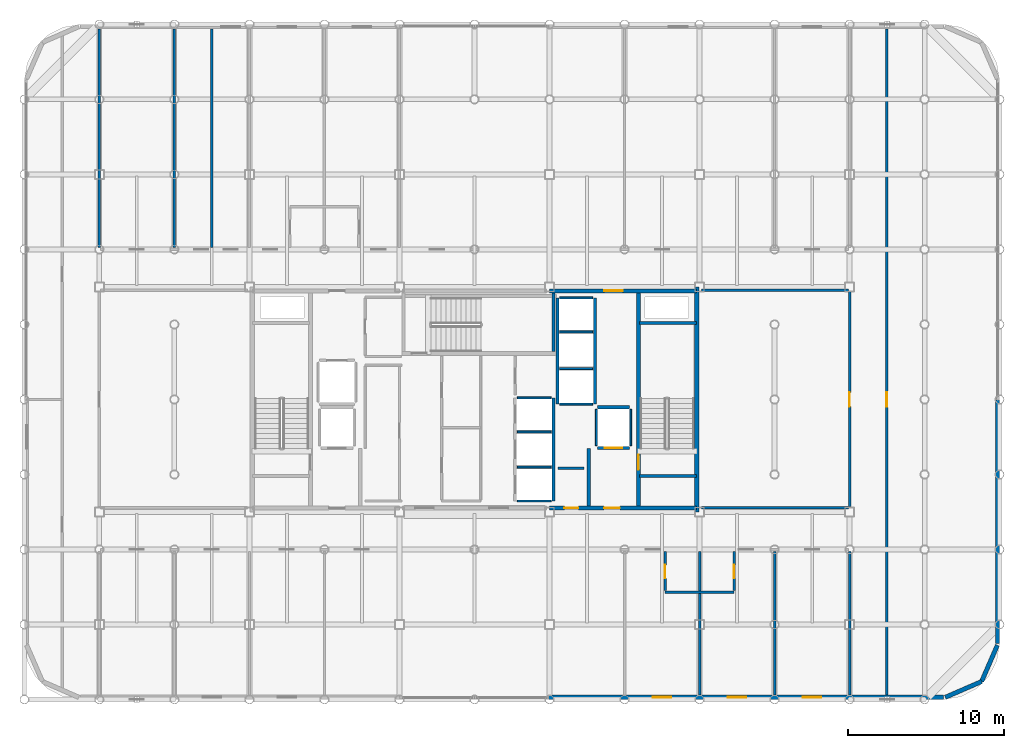
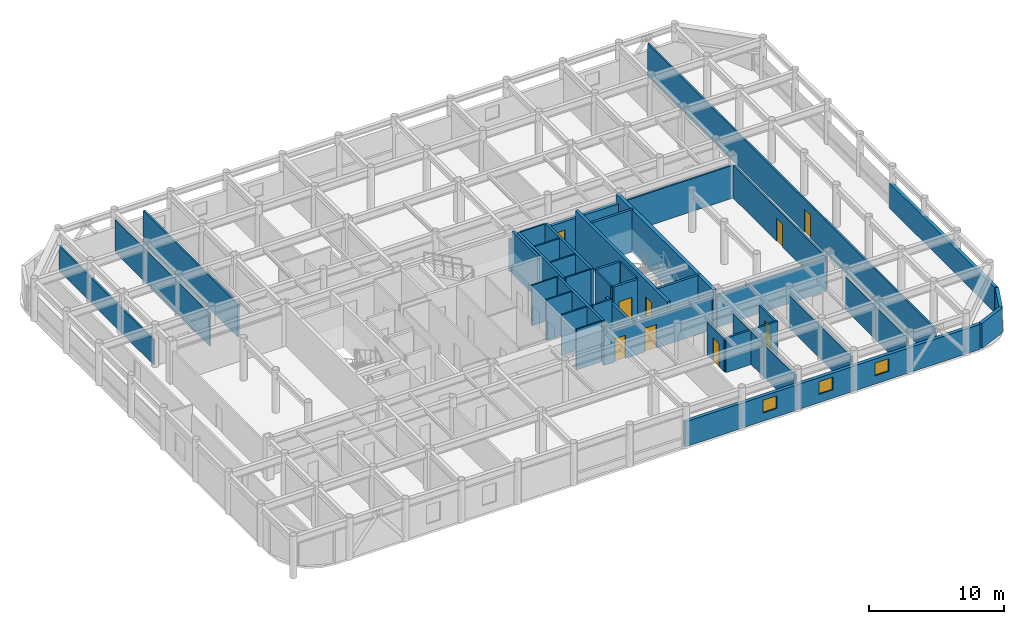
# One storey, part 20 of 22: 41 walls, 9 doors, 3 windows, 12 openings.
"""IFC4 building model written with IfcOpenShell, lengths in metres."""

from ifc_helpers import new_model, si_unit, direction, frame, frame_2d, origin, place, context, subcontext, project, spatial, rectangle, extrude, material, layer, layer_set, type_object, element, fill, save


model = new_model("IFC4")

# Units and contexts
model_context = context("Model", 3, precision=1e-05, world=origin(), true_north=direction((0.0, 1.0)))
body_context = subcontext(model_context, "Body", "Model", "MODEL_VIEW")
ifc_project = project(units=[si_unit("LENGTHUNIT", "METRE"), si_unit("AREAUNIT", "SQUARE_METRE"), si_unit("VOLUMEUNIT", "CUBIC_METRE"), si_unit("PLANEANGLEUNIT", "RADIAN"), si_unit("MASSUNIT", "GRAM", prefix="KILO")], contexts=[model_context])

# Site, building, storey
site_placement = place(None, origin())
site = spatial("IfcSite", under=ifc_project, at=site_placement, CompositionType="ELEMENT")
building_placement = place(site_placement, origin())
building = spatial("IfcBuilding", under=site, at=building_placement, Name="Kallvorn Hotel Tower", CompositionType="ELEMENT")
storey_placement = place(building_placement, frame((0.0, 0.0, 230.0)))
storey = spatial("IfcBuildingStorey", under=building, at=storey_placement, Name="L57", CompositionType="ELEMENT", Elevation=230.0)

# Walls
ifc_material_1 = material(Name="Concrete C50/60", Category="concrete")
ifc_layer_1 = layer(ifc_material_1, 0.300048828125)
ifc_layer_set_1 = layer_set([ifc_layer_1], Name="WL_CORE_300")
wall_type_1 = type_object("IfcWallType", Name="WL_CORE_300", PredefinedType="SHEAR", material=ifc_layer_set_1)
wall_1_placement = place(storey_placement, frame((14.215087890625, -7.199951171875, -0.179931640625), z_axis=(0.0, 0.0, 1.0), x_axis=(0.0, 1.0, 0.0)))
element("IfcWall", 1, at=wall_1_placement, inside=storey, type_object=wall_type_1, Name="L57 Core East Shear Wall", PredefinedType="SHEAR", context=body_context, shape_type="SweptSolid", body=[
    extrude(rectangle(XDim=14.39990234375, YDim=0.300048828125, at=frame_2d((7.199951171875, 0.0))), origin(), (0.0, 0.0, 1.0), 3.849853515625),
])
ifc_material_2 = material(Name="Fire-rated double-layer acoustic gypsum drywall EI 60")
ifc_layer_2 = layer(ifc_material_2, 0.159912109375)
ifc_layer_set_2 = layer_set([ifc_layer_2], Name="WL_DEMISE_160")
wall_type_2 = type_object("IfcWallType", Name="WL_DEMISE_160", PredefinedType="PARTITIONING", material=ifc_layer_set_2)
wall_2_placement = place(storey_placement, frame((12.18994140625, -12.320068359375, 0.0), z_axis=(0.0, 0.0, 1.0), x_axis=(1.0, 0.0, 0.0)))
element("IfcWall", 2, at=wall_2_placement, inside=storey, type_object=wall_type_2, Name="L57 Suite 5701 Superior Twin Room Partition", PredefinedType="PARTITIONING", context=body_context, shape_type="SweptSolid", body=[
    extrude(rectangle(XDim=4.420166015625, YDim=0.159912109375, at=frame_2d((2.2099609375, 0.0))), origin(), (0.0, 0.0, 1.0), 3.1201171875),
])

# Wall, opening, door
wall_3_placement = place(storey_placement, frame((12.18994140625, -12.235107421875, 0.0), z_axis=(0.0, 0.0, 1.0), x_axis=(0.0, 1.0, 0.0)))
wall_3 = element("IfcWall", 3, at=wall_3_placement, inside=storey, type_object=wall_type_2, Name="L57 Suite 5701 Superior Twin Room Partition", PredefinedType="PARTITIONING", context=body_context, shape_type="SweptSolid", body=[
    extrude(rectangle(XDim=2.51513671875, YDim=0.159912109375, at=frame_2d((1.257568359375, 0.0))), origin(), (0.0, 0.0, 1.0), 2.969970703125),
])
opening_1_placement = place(wall_3_placement, frame((0.784912109375, 0.0, 0.0)))
opening_1 = element("IfcOpeningElement", 4, at=opening_1_placement, cuts=wall_3, Name="Opening BD-I", PredefinedType="OPENING", context=body_context, shape_type="SweptSolid", body=[
    extrude(rectangle(XDim=0.860107421875, YDim=2.10009765625, at=frame_2d((0.43017578125, 1.050048828125))), frame((0.0, 0.094970703125, 0.0), z_axis=(0.0, -1.0, 0.0), x_axis=(1.0, 0.0, 0.0)), (0.0, 0.0, 1.0), 0.18994140625),
])
ifc_material_3 = material(Name="Solid-core walnut veneer fire-rated timber door leaf", Category="wood")
door_type_1 = type_object("IfcDoorType", Name="DR_BATH_860x2100", OperationType="NOTDEFINED", PredefinedType="DOOR", material=ifc_material_3)
door_1_placement = place(opening_1_placement, origin())
door_1 = element("IfcDoor", 5, at=door_1_placement, inside=storey, type_object=door_type_1, Name="L57 Suite 5701 En-Suite Bathroom Door", OperationType="SINGLE_SWING_RIGHT", OverallHeight=2.10009765625, OverallWidth=0.860107421875, PredefinedType="DOOR", context=body_context, shape_type="SweptSolid", body=[
    extrude(rectangle(XDim=0.860107421875, YDim=2.10009765625, at=frame_2d((0.43017578125, 1.050048828125))), frame((0.0, 0.02490234375, 0.0), z_axis=(0.0, -1.0, 0.0), x_axis=(1.0, 0.0, 0.0)), (0.0, 0.0, 1.0), 0.050048828125),
])
fill(opening_1, door_1)

# Wall
wall_4_placement = place(storey_placement, frame((14.39990234375, -18.909912109375, 0.0), z_axis=(0.0, 0.0, 1.0), x_axis=(0.0, 1.0, 0.0)))
element("IfcWall", 6, at=wall_4_placement, inside=storey, type_object=wall_type_2, Name="L57 Suite 5701 Superior Twin Room Partition", PredefinedType="PARTITIONING", context=body_context, shape_type="SweptSolid", body=[
    extrude(rectangle(XDim=9.18994140625, YDim=0.159912109375, at=frame_2d((4.594970703125, 0.0))), origin(), (0.0, 0.0, 1.0), 2.969970703125),
])

# Wall, opening, door
wall_5_placement = place(storey_placement, frame((16.610107421875, -12.235107421875, 0.0), z_axis=(0.0, 0.0, 1.0), x_axis=(0.0, 1.0, 0.0)))
wall_5 = element("IfcWall", 7, at=wall_5_placement, inside=storey, type_object=wall_type_2, Name="L57 Suite 5702 Superior Twin Room Partition", PredefinedType="PARTITIONING", context=body_context, shape_type="SweptSolid", body=[
    extrude(rectangle(XDim=2.51513671875, YDim=0.159912109375, at=frame_2d((1.257568359375, 0.0))), origin(), (0.0, 0.0, 1.0), 2.969970703125),
])
opening_2_placement = place(wall_5_placement, frame((0.784912109375, 0.0, 0.0)))
opening_2 = element("IfcOpeningElement", 8, at=opening_2_placement, cuts=wall_5, Name="Opening BD-I", PredefinedType="OPENING", context=body_context, shape_type="SweptSolid", body=[
    extrude(rectangle(XDim=0.860107421875, YDim=2.10009765625, at=frame_2d((0.43017578125, 1.050048828125))), frame((0.0, 0.094970703125, 0.0), z_axis=(0.0, -1.0, 0.0), x_axis=(1.0, 0.0, 0.0)), (0.0, 0.0, 1.0), 0.18994140625),
])
door_2_placement = place(opening_2_placement, origin())
door_2 = element("IfcDoor", 9, at=door_2_placement, inside=storey, type_object=door_type_1, Name="L57 Suite 5702 En-Suite Bathroom Door", OperationType="SINGLE_SWING_RIGHT", OverallHeight=2.10009765625, OverallWidth=0.860107421875, PredefinedType="DOOR", context=body_context, shape_type="SweptSolid", body=[
    extrude(rectangle(XDim=0.860107421875, YDim=2.10009765625, at=frame_2d((0.43017578125, 1.050048828125))), frame((0.0, 0.02490234375, 0.0), z_axis=(0.0, -1.0, 0.0), x_axis=(1.0, 0.0, 0.0)), (0.0, 0.0, 1.0), 0.050048828125),
])
fill(opening_2, door_2)

# Walls
wall_6_placement = place(storey_placement, frame((19.199951171875, -18.909912109375, 0.0), z_axis=(0.0, 0.0, 1.0), x_axis=(0.0, 1.0, 0.0)))
element("IfcWall", 10, at=wall_6_placement, inside=storey, type_object=wall_type_2, Name="L57 Suite 5702 Superior Twin Room Partition", PredefinedType="PARTITIONING", context=body_context, shape_type="SweptSolid", body=[
    extrude(rectangle(XDim=9.18994140625, YDim=0.159912109375, at=frame_2d((4.594970703125, 0.0))), origin(), (0.0, 0.0, 1.0), 2.969970703125),
])
ifc_material_4 = material(Name="Precast basalt-clad insulated concrete wall C40/50", Category="masonry")
ifc_layer_3 = layer(ifc_material_4, 0.280029296875)
ifc_layer_set_3 = layer_set([ifc_layer_3], Name="WL_EXT_LOGGIA_280")
wall_type_3 = type_object("IfcWallType", Name="WL_EXT_LOGGIA_280", PredefinedType="SOLIDWALL", material=ifc_layer_set_3)
wall_7_placement = place(storey_placement, frame((30.120849609375, -19.057861328125, 0.0), z_axis=(0.0, 0.0, 1.0), x_axis=(0.917060872934, 0.398747232384, 0.0)))
element("IfcWall", 11, at=wall_7_placement, inside=storey, type_object=wall_type_3, Name="L57 Rounded Corner Exterior Wall SE1", PredefinedType="SOLIDWALL", context=body_context, shape_type="SweptSolid", body=[
    extrude(rectangle(XDim=2.5361328125, YDim=0.280029296875, at=frame_2d((1.26806640625, 0.0))), origin(), (0.0, 0.0, 1.0), 2.27001953125),
])
wall_8_placement = place(storey_placement, frame((32.446533203125, -18.046630859375, 0.0), z_axis=(0.0, 0.0, 1.0), x_axis=(0.398792985289, 0.917040977756, 0.0)))
element("IfcWall", 12, at=wall_8_placement, inside=storey, type_object=wall_type_3, Name="L57 Rounded Corner Exterior Wall SE2", PredefinedType="SOLIDWALL", context=body_context, shape_type="SweptSolid", body=[
    extrude(rectangle(XDim=2.536376953125, YDim=0.280029296875, at=frame_2d((1.26806640625, 0.0))), origin(), (0.0, 0.0, 1.0), 2.27001953125),
])

# Wall, openings, windows
wall_9_placement = place(storey_placement, frame((4.75, -19.06005859375, 0.0), z_axis=(0.0, 0.0, 1.0), x_axis=(1.0, 0.0, 0.0)))
wall_9 = element("IfcWall", 13, at=wall_9_placement, inside=storey, type_object=wall_type_3, Name="L57 Exterior Envelope Wall EW-L57-SE", PredefinedType="SOLIDWALL", context=body_context, shape_type="SweptSolid", body=[
    extrude(rectangle(XDim=25.25, YDim=0.280029296875, at=frame_2d((12.625, 0.0))), origin(), (0.0, 0.0, 1.0), 2.27001953125),
])
opening_3_placement = place(wall_9_placement, frame((16.25, 0.0, 0.75)))
opening_3 = element("IfcOpeningElement", 14, at=opening_3_placement, cuts=wall_9, Name="Opening W06A", PredefinedType="OPENING", context=body_context, shape_type="SweptSolid", body=[
    extrude(rectangle(XDim=1.199951171875, YDim=1.14990234375, at=frame_2d((0.60009765625, 0.574951171875))), frame((0.0, 0.155029296875, 0.0), z_axis=(0.0, -1.0, 0.0), x_axis=(1.0, 0.0, 0.0)), (0.0, 0.0, 1.0), 0.31005859375),
])
opening_4_placement = place(wall_9_placement, frame((6.64990234375, 0.0, 0.75)))
opening_4 = element("IfcOpeningElement", 15, at=opening_4_placement, cuts=wall_9, Name="Opening W06A", PredefinedType="OPENING", context=body_context, shape_type="SweptSolid", body=[
    extrude(rectangle(XDim=1.199951171875, YDim=1.14990234375, at=frame_2d((0.60009765625, 0.574951171875))), frame((0.0, 0.155029296875, 0.0), z_axis=(0.0, -1.0, 0.0), x_axis=(1.0, 0.0, 0.0)), (0.0, 0.0, 1.0), 0.31005859375),
])
opening_5_placement = place(wall_9_placement, frame((11.449951171875, 0.0, 0.75)))
opening_5 = element("IfcOpeningElement", 16, at=opening_5_placement, cuts=wall_9, Name="Opening W06A", PredefinedType="OPENING", context=body_context, shape_type="SweptSolid", body=[
    extrude(rectangle(XDim=1.199951171875, YDim=1.14990234375, at=frame_2d((0.60009765625, 0.574951171875))), frame((0.0, 0.155029296875, 0.0), z_axis=(0.0, -1.0, 0.0), x_axis=(1.0, 0.0, 0.0)), (0.0, 0.0, 1.0), 0.31005859375),
])
ifc_material_5 = material(Name="Triple-glazed low-e acoustic solar-control dark glass", Category="glass")
window_type = type_object("IfcWindowType", Name="WN_HTL_1200x1150", PartitioningType="SINGLE_PANEL", PredefinedType="WINDOW", material=ifc_material_5)
window_1_placement = place(opening_3_placement, origin())
window_1 = element("IfcWindow", 17, at=window_1_placement, inside=storey, type_object=window_type, Name="L57 Guestroom Exterior Window 01", OverallHeight=1.14990234375, OverallWidth=1.199951171875, PartitioningType="SINGLE_PANEL", PredefinedType="WINDOW", context=body_context, shape_type="SweptSolid", body=[
    extrude(rectangle(XDim=1.199951171875, YDim=1.14990234375, at=frame_2d((0.60009765625, 0.574951171875))), frame((0.0, 0.030029296875, 0.0), z_axis=(0.0, -1.0, 0.0), x_axis=(1.0, 0.0, 0.0)), (0.0, 0.0, 1.0), 0.06005859375),
])
fill(opening_3, window_1)
window_2_placement = place(opening_4_placement, origin())
window_2 = element("IfcWindow", 18, at=window_2_placement, inside=storey, type_object=window_type, Name="L57 Guestroom Exterior Window 06", OverallHeight=1.14990234375, OverallWidth=1.199951171875, PartitioningType="SINGLE_PANEL", PredefinedType="WINDOW", context=body_context, shape_type="SweptSolid", body=[
    extrude(rectangle(XDim=1.199951171875, YDim=1.14990234375, at=frame_2d((0.60009765625, 0.574951171875))), frame((0.0, 0.030029296875, 0.0), z_axis=(0.0, -1.0, 0.0), x_axis=(1.0, 0.0, 0.0)), (0.0, 0.0, 1.0), 0.06005859375),
])
fill(opening_4, window_2)
window_3_placement = place(opening_5_placement, origin())
window_3 = element("IfcWindow", 19, at=window_3_placement, inside=storey, type_object=window_type, Name="L57 Guestroom Exterior Window 07", OverallHeight=1.14990234375, OverallWidth=1.199951171875, PartitioningType="SINGLE_PANEL", PredefinedType="WINDOW", context=body_context, shape_type="SweptSolid", body=[
    extrude(rectangle(XDim=1.199951171875, YDim=1.14990234375, at=frame_2d((0.60009765625, 0.574951171875))), frame((0.0, 0.030029296875, 0.0), z_axis=(0.0, -1.0, 0.0), x_axis=(1.0, 0.0, 0.0)), (0.0, 0.0, 1.0), 0.06005859375),
])
fill(opening_5, window_3)

# Walls
wall_10_placement = place(storey_placement, frame((33.4599609375, -15.60009765625, 0.0), z_axis=(0.0, 0.0, 1.0), x_axis=(0.0, 1.0, 0.0)))
element("IfcWall", 20, at=wall_10_placement, inside=storey, type_object=wall_type_3, Name="L57 Exterior Envelope Wall EW-L57-ES", PredefinedType="SOLIDWALL", context=body_context, shape_type="SweptSolid", body=[
    extrude(rectangle(XDim=15.580078125, YDim=0.280029296875, at=frame_2d((7.7900390625, 0.0))), origin(), (0.0, 0.0, 1.0), 2.27001953125),
])
ifc_material_6 = material(Name="Concrete C40/50", Category="concrete")
ifc_layer_4 = layer(ifc_material_6, 0.219970703125)
ifc_layer_set_4 = layer_set([ifc_layer_4], Name="WL_FFL_220")
wall_type_4 = type_object("IfcWallType", Name="WL_FFL_220", PredefinedType="SOLIDWALL", material=ifc_layer_set_4)
wall_11_placement = place(storey_placement, frame((7.300048828125, -6.820068359375, 0.0), z_axis=(0.0, 0.0, 1.0), x_axis=(0.0, 1.0, 0.0)))
element("IfcWall", 21, at=wall_11_placement, inside=storey, type_object=wall_type_4, Name="L57 Firefighting Lobby East Divider Wall", PredefinedType="SOLIDWALL", context=body_context, shape_type="SweptSolid", body=[
    extrude(rectangle(XDim=3.670166015625, YDim=0.219970703125, at=frame_2d((1.8349609375, 0.0))), origin(), (0.0, 0.0, 1.0), 2.969970703125),
])
ifc_material_7 = material(Name="Concrete C40/50", Category="concrete")
ifc_layer_5 = layer(ifc_material_7, 0.199951171875)
ifc_layer_set_5 = layer_set([ifc_layer_5], Name="WL_HOIST_200")
wall_type_5 = type_object("IfcWallType", Name="WL_HOIST_200", PredefinedType="SOLIDWALL", material=ifc_layer_set_5)
for number, where, z_axis, x_axis, name in (
    (22, (10.550048828125, -4.89990234375, -0.179931640625), (0.0, 0.0, 1.0), (1.0, 0.0, 0.0), "L57 Stair ST2 South Wall"),
    (23, (10.550048828125, 4.89990234375, -0.179931640625), (0.0, 0.0, 1.0), (1.0, 0.0, 0.0), "L57 Stair ST2 North Wall"),
):
    element("IfcWall", number, at=place(storey_placement, frame(where, z_axis=z_axis, x_axis=x_axis)), inside=storey, type_object=wall_type_5, Name=name, PredefinedType="SOLIDWALL", context=body_context, shape_type="SweptSolid", body=[
        extrude(rectangle(XDim=3.64990234375, YDim=0.199951171875, at=frame_2d((1.824951171875, 0.0))), origin(), (0.0, 0.0, 1.0), 3.849853515625),
    ])
wall_12_placement = place(storey_placement, frame((5.06005859375, 3.080078125, -0.179931640625), z_axis=(0.0, 0.0, 1.0), x_axis=(0.0, 1.0, 0.0)))
element("IfcWall", 24, at=wall_12_placement, inside=storey, type_object=wall_type_5, Name="L57 Stair ST3 East Wall", PredefinedType="SOLIDWALL", context=body_context, shape_type="SweptSolid", body=[
    extrude(rectangle(XDim=3.739990234375, YDim=0.199951171875, at=frame_2d((1.8701171875, 0.0))), origin(), (0.0, 0.0, 1.0), 3.849853515625),
])
wall_13_placement = place(storey_placement, frame((5.050048828125, -6.5, 0.0), z_axis=(0.0, 0.0, 1.0), x_axis=(0.0, 1.0, 0.0)))
element("IfcWall", 25, at=wall_13_placement, inside=storey, type_object=wall_type_5, Name="L57 Lift Bank B3A Rear Shaft Wall", PredefinedType="SOLIDWALL", context=body_context, shape_type="SweptSolid", body=[
    extrude(rectangle(XDim=6.60009765625, YDim=0.199951171875, at=frame_2d((3.300048828125, 0.0))), origin(), (0.0, 0.0, 1.0), 3.669921875),
])
for number, where, z_axis, x_axis, name in (
    (26, (7.699951171875, -0.300048828125, 0.0), (0.0, 0.0, 1.0), (0.0, 1.0, 0.0), "L57 Lift Bank OBS Landing Wall"),
    (27, (5.300048828125, -0.300048828125, 0.0), (0.0, 0.0, 1.0), (0.0, 1.0, 0.0), "L57 Lift Bank OBS Rear Shaft Wall"),
):
    element("IfcWall", number, at=place(storey_placement, frame(where, z_axis=z_axis, x_axis=x_axis)), inside=storey, type_object=wall_type_5, Name=name, PredefinedType="SOLIDWALL", context=body_context, shape_type="SweptSolid", body=[
        extrude(rectangle(XDim=6.800048828125, YDim=0.199951171875, at=frame_2d((3.39990234375, 0.0))), origin(), (0.0, 0.0, 1.0), 3.669921875),
    ])

# Wall, opening, door
wall_14_placement = place(storey_placement, frame((7.8798828125, -3.10009765625, 0.0), z_axis=(0.0, 0.0, 1.0), x_axis=(1.0, 0.0, 0.0)))
wall_14 = element("IfcWall", 28, at=wall_14_placement, inside=storey, type_object=wall_type_5, Name="L57 FL-2 Landing Wall", PredefinedType="SOLIDWALL", context=body_context, shape_type="SweptSolid", body=[
    extrude(rectangle(XDim=2.0400390625, YDim=0.199951171875, at=frame_2d((1.02001953125, 0.0))), origin(), (0.0, 0.0, 1.0), 3.669921875),
])
opening_6_placement = place(wall_14_placement, frame((0.469970703125, 0.0, 0.0)))
opening_6 = element("IfcOpeningElement", 29, at=opening_6_placement, cuts=wall_14, Name="Opening LD-FL-2", PredefinedType="OPENING", context=body_context, shape_type="SweptSolid", body=[
    extrude(rectangle(XDim=1.10009765625, YDim=2.199951171875, at=frame_2d((0.550048828125, 1.10009765625))), frame((0.0, 0.114990234375, 0.0), z_axis=(0.0, -1.0, 0.0), x_axis=(1.0, 0.0, 0.0)), (0.0, 0.0, 1.0), 0.22998046875),
])
ifc_material_8 = material(Name="Brushed stainless-steel automatic sliding lift landing door", Category="steel")
door_type_2 = type_object("IfcDoorType", Name="LD_PASS_1100x2200", OperationType="SLIDING_TO_LEFT", PredefinedType="DOOR", material=ifc_material_8)
door_3_placement = place(opening_6_placement, origin())
door_3 = element("IfcDoor", 30, at=door_3_placement, inside=storey, type_object=door_type_2, Name="L57 Lift Landing Sliding Door LD-FL-2", OperationType="SLIDING_TO_LEFT", OverallHeight=2.199951171875, OverallWidth=1.10009765625, PredefinedType="DOOR", context=body_context, shape_type="SweptSolid", body=[
    extrude(rectangle(XDim=1.10009765625, YDim=2.199951171875, at=frame_2d((0.550048828125, 1.10009765625))), frame((0.0, 0.02490234375, 0.0), z_axis=(0.0, -1.0, 0.0), x_axis=(1.0, 0.0, 0.0)), (0.0, 0.0, 1.0), 0.050048828125),
])
fill(opening_6, door_3)

# Walls
wall_15_placement = place(storey_placement, frame((7.8798828125, -0.5, 0.0), z_axis=(0.0, 0.0, 1.0), x_axis=(1.0, 0.0, 0.0)))
element("IfcWall", 31, at=wall_15_placement, inside=storey, type_object=wall_type_5, Name="L57 FL-2 Rear Shaft Wall", PredefinedType="SOLIDWALL", context=body_context, shape_type="SweptSolid", body=[
    extrude(rectangle(XDim=2.0400390625, YDim=0.199951171875, at=frame_2d((1.02001953125, 0.0))), origin(), (0.0, 0.0, 1.0), 3.669921875),
])
ifc_material_9 = material(Name="Fire-rated double-layer acoustic gypsum drywall EI 60")
ifc_layer_6 = layer(ifc_material_9, 0.1201171875)
ifc_layer_set_6 = layer_set([ifc_layer_6], Name="WL_INT_120")
wall_type_6 = type_object("IfcWallType", Name="WL_INT_120", PredefinedType="PARTITIONING", material=ifc_layer_set_6)
for number, where, z_axis, x_axis, name in (
    (32, (2.739990234375, -6.5, 0.0), (0.0, 0.0, 1.0), (1.0, 0.0, 0.0), "L57 Lift Bank B3A South Closure Wall"),
    (33, (2.739990234375, -4.324951171875, 0.0), (0.0, 0.0, 1.0), (1.0, 0.0, 0.0), "L57 PL-09 Hoistway Divider"),
    (34, (2.739990234375, -2.074951171875, 0.0), (0.0, 0.0, 1.0), (1.0, 0.0, 0.0), "L57 PL-10 Hoistway Divider"),
    (35, (2.739990234375, 0.10009765625, 0.0), (0.0, 0.0, 1.0), (1.0, 0.0, 0.0), "L57 PL-11 Hoistway Divider"),
):
    element("IfcWall", number, at=place(storey_placement, frame(where, z_axis=z_axis, x_axis=x_axis)), inside=storey, type_object=wall_type_6, Name=name, PredefinedType="PARTITIONING", context=body_context, shape_type="SweptSolid", body=[
        extrude(rectangle(XDim=2.169921875, YDim=0.1201171875, at=frame_2d((1.0849609375, 0.0))), origin(), (0.0, 0.0, 1.0), 3.669921875),
    ])
for number, where, z_axis, x_axis, name in (
    (36, (5.43994140625, -0.300048828125, 0.0), (0.0, 0.0, 1.0), (1.0, 0.0, 0.0), "L57 Lift Bank OBS South Closure Wall"),
    (37, (5.43994140625, 1.97509765625, 0.0), (0.0, 0.0, 1.0), (1.0, 0.0, 0.0), "L57 OB-01 Hoistway Divider"),
    (38, (5.43994140625, 4.324951171875, 0.0), (0.0, 0.0, 1.0), (1.0, 0.0, 0.0), "L57 OB-02 Hoistway Divider"),
    (39, (5.43994140625, 6.5, 0.0), (0.0, 0.0, 1.0), (1.0, 0.0, 0.0), "L57 OB-03 Hoistway Divider"),
):
    element("IfcWall", number, at=place(storey_placement, frame(where, z_axis=z_axis, x_axis=x_axis)), inside=storey, type_object=wall_type_6, Name=name, PredefinedType="PARTITIONING", context=body_context, shape_type="SweptSolid", body=[
        extrude(rectangle(XDim=2.1201171875, YDim=0.1201171875, at=frame_2d((1.06005859375, 0.0))), origin(), (0.0, 0.0, 1.0), 3.669921875),
    ])
for number, where, z_axis, x_axis, name in (
    (40, (7.800048828125, -2.9599609375, 0.0), (0.0, 0.0, 1.0), (0.0, 1.0, 0.0), "L57 FL-2 West Shaft Wall"),
    (41, (10.0, -2.9599609375, 0.0), (0.0, 0.0, 1.0), (0.0, 1.0, 0.0), "L57 FL-2 East Shaft Wall"),
):
    element("IfcWall", number, at=place(storey_placement, frame(where, z_axis=z_axis, x_axis=x_axis)), inside=storey, type_object=wall_type_6, Name=name, PredefinedType="PARTITIONING", context=body_context, shape_type="SweptSolid", body=[
        extrude(rectangle(XDim=2.320068359375, YDim=0.1201171875, at=frame_2d((1.16015625, 0.0))), origin(), (0.0, 0.0, 1.0), 3.669921875),
    ])
ifc_material_10 = material(Name="Fire-rated double-layer acoustic gypsum drywall EI 60")
ifc_layer_7 = layer(ifc_material_10, 0.14990234375)
ifc_layer_set_7 = layer_set([ifc_layer_7], Name="WL_PART_150")
wall_type_7 = type_object("IfcWallType", Name="WL_PART_150", PredefinedType="PARTITIONING", material=ifc_layer_set_7)
for number, where, z_axis, x_axis, name in (
    (42, (14.52001953125, -6.919921875, 0.0), (0.0, 0.0, 1.0), (1.0, 0.0, 0.0), "L57 L57 High-Zone Inner East Club Gallery Partition"),
    (43, (14.52001953125, 6.97998046875, 0.0), (0.0, 0.0, 1.0), (1.0, 0.0, 0.0), "L57 L57 High-Zone Inner East Club Gallery Partition"),
):
    element("IfcWall", number, at=place(storey_placement, frame(where, z_axis=z_axis, x_axis=x_axis)), inside=storey, type_object=wall_type_7, Name=name, PredefinedType="PARTITIONING", context=body_context, shape_type="SweptSolid", body=[
        extrude(rectangle(XDim=9.39990234375, YDim=0.14990234375, at=frame_2d((4.699951171875, 0.0))), origin(), (0.0, 0.0, 1.0), 2.969970703125),
    ])
wall_16_placement = place(storey_placement, frame((-24.0, 9.719970703125, 0.0), z_axis=(0.0, 0.0, 1.0), x_axis=(0.0, 1.0, 0.0)))
element("IfcWall", 44, at=wall_16_placement, inside=storey, type_object=wall_type_7, Name="L57 L57 High-Zone North-West Reading Salon Partition", PredefinedType="PARTITIONING", context=body_context, shape_type="SweptSolid", body=[
    extrude(rectangle(XDim=13.989990234375, YDim=0.14990234375, at=frame_2d((6.9951171875, 0.0))), origin(), (0.0, 0.0, 1.0), 2.27001953125),
])
for number, where, z_axis, x_axis, name in (
    (45, (-19.199951171875, 9.719970703125, 0.0), (0.0, 0.0, 1.0), (0.0, 1.0, 0.0), "L57 Housekeeping and Linen Room Partition"),
    (46, (-16.800048828125, 9.719970703125, 0.0), (0.0, 0.0, 1.0), (0.0, 1.0, 0.0), "L57 Guest Tea and Refreshment Bar Partition"),
):
    element("IfcWall", number, at=place(storey_placement, frame(where, z_axis=z_axis, x_axis=x_axis)), inside=storey, type_object=wall_type_7, Name=name, PredefinedType="PARTITIONING", context=body_context, shape_type="SweptSolid", body=[
        extrude(rectangle(XDim=13.989990234375, YDim=0.14990234375, at=frame_2d((6.9951171875, 0.0))), origin(), (0.0, 0.0, 1.0), 2.969970703125),
    ])
wall_17_placement = place(storey_placement, frame((24.0, -18.909912109375, 0.0), z_axis=(0.0, 0.0, 1.0), x_axis=(0.0, 1.0, 0.0)))
element("IfcWall", 47, at=wall_17_placement, inside=storey, type_object=wall_type_7, Name="L57 L57 High-Zone South-East Wine Bar Partition", PredefinedType="PARTITIONING", context=body_context, shape_type="SweptSolid", body=[
    extrude(rectangle(XDim=9.18994140625, YDim=0.14990234375, at=frame_2d((4.594970703125, 0.0))), origin(), (0.0, 0.0, 1.0), 2.969970703125),
])

# Wall, opening, door
wall_18_placement = place(storey_placement, frame((24.0, -6.8349609375, 0.0), z_axis=(0.0, 0.0, 1.0), x_axis=(0.0, 1.0, 0.0)))
wall_18 = element("IfcWall", 48, at=wall_18_placement, inside=storey, type_object=wall_type_7, Name="L57 L57 High-Zone Inner East Club Gallery Partition", PredefinedType="PARTITIONING", context=body_context, shape_type="SweptSolid", body=[
    extrude(rectangle(XDim=13.72998046875, YDim=0.14990234375, at=frame_2d((6.864990234375, 0.0))), origin(), (0.0, 0.0, 1.0), 2.969970703125),
])
opening_7_placement = place(wall_18_placement, frame((6.385009765625, 0.0, 0.0)))
opening_7 = element("IfcOpeningElement", 49, at=opening_7_placement, cuts=wall_18, Name="Opening SVD1", PredefinedType="OPENING", context=body_context, shape_type="SweptSolid", body=[
    extrude(rectangle(XDim=0.89990234375, YDim=2.10009765625, at=frame_2d((0.449951171875, 1.050048828125))), frame((0.0, 0.08984375, 0.0), z_axis=(0.0, -1.0, 0.0), x_axis=(1.0, 0.0, 0.0)), (0.0, 0.0, 1.0), 0.179931640625),
])
ifc_material_11 = material(Name="Galvanised painted steel fire-rated door assembly", Category="steel")
door_type_3 = type_object("IfcDoorType", Name="DR_SERV_900x2100", OperationType="NOTDEFINED", PredefinedType="DOOR", material=ifc_material_11)
door_4_placement = place(opening_7_placement, origin())
door_4 = element("IfcDoor", 50, at=door_4_placement, inside=storey, type_object=door_type_3, Name="L57 L57 High-Zone Inner East Club Gallery Door", OperationType="SINGLE_SWING_RIGHT", OverallHeight=2.10009765625, OverallWidth=0.89990234375, PredefinedType="DOOR", context=body_context, shape_type="SweptSolid", body=[
    extrude(rectangle(XDim=0.89990234375, YDim=2.10009765625, at=frame_2d((0.449951171875, 1.050048828125))), frame((0.0, 0.02490234375, 0.0), z_axis=(0.0, -1.0, 0.0), x_axis=(1.0, 0.0, 0.0)), (0.0, 0.0, 1.0), 0.050048828125),
])
fill(opening_7, door_4)

wall_19_placement = place(storey_placement, frame((26.3798828125, -18.909912109375, 0.0), z_axis=(0.0, 0.0, 1.0), x_axis=(0.0, 1.0, 0.0)))
wall_19 = element("IfcWall", 51, at=wall_19_placement, inside=storey, type_object=wall_type_7, Name="L57 L57 Outer East Sky Observatory Salon Partition", PredefinedType="PARTITIONING", context=body_context, shape_type="SweptSolid", body=[
    extrude(rectangle(XDim=42.619873046875, YDim=0.14990234375, at=frame_2d((21.31005859375, 0.0))), origin(), (0.0, 0.0, 1.0), 2.969970703125),
])
opening_8_placement = place(wall_19_placement, frame((18.4599609375, 0.0, 0.0)))
opening_8 = element("IfcOpeningElement", 52, at=opening_8_placement, cuts=wall_19, Name="Opening SVD1", PredefinedType="OPENING", context=body_context, shape_type="SweptSolid", body=[
    extrude(rectangle(XDim=0.89990234375, YDim=2.10009765625, at=frame_2d((0.449951171875, 1.050048828125))), frame((0.0, 0.08984375, 0.0), z_axis=(0.0, -1.0, 0.0), x_axis=(1.0, 0.0, 0.0)), (0.0, 0.0, 1.0), 0.179931640625),
])
door_5_placement = place(opening_8_placement, origin())
door_5 = element("IfcDoor", 53, at=door_5_placement, inside=storey, type_object=door_type_3, Name="L57 L57 Outer East Sky Observatory Salon Door", OperationType="SINGLE_SWING_LEFT", OverallHeight=2.10009765625, OverallWidth=0.89990234375, PredefinedType="DOOR", context=body_context, shape_type="SweptSolid", body=[
    extrude(rectangle(XDim=0.89990234375, YDim=2.10009765625, at=frame_2d((0.449951171875, 1.050048828125))), frame((0.0, 0.02490234375, 0.0), z_axis=(0.0, -1.0, 0.0), x_axis=(1.0, 0.0, 0.0)), (0.0, 0.0, 1.0), 0.050048828125),
])
fill(opening_8, door_5)

# Wall
ifc_material_12 = material(Name="Moisture-resistant acoustic plumbing chase wall EI 60")
ifc_layer_8 = layer(ifc_material_12, 0.139892578125)
ifc_layer_set_8 = layer_set([ifc_layer_8], Name="WL_PLUMB_140")
wall_type_8 = type_object("IfcWallType", Name="WL_PLUMB_140", PredefinedType="PLUMBINGWALL", material=ifc_layer_set_8)
wall_20_placement = place(storey_placement, frame((5.35009765625, -4.39990234375, 0.0), z_axis=(0.0, 0.0, 1.0), x_axis=(1.0, 0.0, 0.0)))
element("IfcWall", 54, at=wall_20_placement, inside=storey, type_object=wall_type_8, Name="L57 Core Staff Restroom WC Partition", PredefinedType="PLUMBINGWALL", context=body_context, shape_type="SweptSolid", body=[
    extrude(rectangle(XDim=1.64990234375, YDim=0.139892578125, at=frame_2d((0.824951171875, 0.0))), origin(), (0.0, 0.0, 1.0), 3.669921875),
])

# Wall, openings, doors
ifc_material_13 = material(Name="Concrete C40/50", Category="concrete")
ifc_layer_9 = layer(ifc_material_13, 0.25)
ifc_layer_set_9 = layer_set([ifc_layer_9], Name="WL_SHAFT_250")
wall_type_9 = type_object("IfcWallType", Name="WL_SHAFT_250", PredefinedType="SOLIDWALL", material=ifc_layer_set_9)
wall_21_placement = place(storey_placement, frame((4.800048828125, -6.949951171875, 0.0), z_axis=(0.0, 0.0, 1.0), x_axis=(1.0, 0.0, 0.0)))
wall_21 = element("IfcWall", 55, at=wall_21_placement, inside=storey, type_object=wall_type_9, Name="L57 Core South-East Wall", PredefinedType="SOLIDWALL", context=body_context, shape_type="SweptSolid", body=[
    extrude(rectangle(XDim=9.39990234375, YDim=0.25, at=frame_2d((4.699951171875, 0.0))), origin(), (0.0, 0.0, 1.0), 2.969970703125),
])
opening_9_placement = place(wall_21_placement, frame((3.5, 0.0, 0.0)))
opening_9 = element("IfcOpeningElement", 56, at=opening_9_placement, cuts=wall_21, Name="Opening FD1", PredefinedType="OPENING", context=body_context, shape_type="SweptSolid", body=[
    extrude(rectangle(XDim=1.0, YDim=2.14990234375, at=frame_2d((0.5, 1.074951171875))), frame((0.0, 0.139892578125, 0.0), z_axis=(0.0, -1.0, 0.0), x_axis=(1.0, 0.0, 0.0)), (0.0, 0.0, 1.0), 0.280029296875),
])
opening_10_placement = place(wall_21_placement, frame((0.949951171875, 0.0, 0.0)))
opening_10 = element("IfcOpeningElement", 57, at=opening_10_placement, cuts=wall_21, Name="Opening SVD1", PredefinedType="OPENING", context=body_context, shape_type="SweptSolid", body=[
    extrude(rectangle(XDim=0.89990234375, YDim=2.10009765625, at=frame_2d((0.449951171875, 1.050048828125))), frame((0.0, 0.139892578125, 0.0), z_axis=(0.0, -1.0, 0.0), x_axis=(1.0, 0.0, 0.0)), (0.0, 0.0, 1.0), 0.280029296875),
])
ifc_material_14 = material(Name="Galvanised painted steel fire-rated door assembly", Category="steel")
door_type_4 = type_object("IfcDoorType", Name="DR_FFL_1000x2150", OperationType="NOTDEFINED", PredefinedType="DOOR", material=ifc_material_14)
door_6_placement = place(opening_9_placement, origin())
door_6 = element("IfcDoor", 58, at=door_6_placement, inside=storey, type_object=door_type_4, Name="L57 Firefighting Lobby East Door", OperationType="SINGLE_SWING_RIGHT", OverallHeight=2.14990234375, OverallWidth=1.0, PredefinedType="DOOR", context=body_context, shape_type="SweptSolid", body=[
    extrude(rectangle(XDim=1.0, YDim=2.14990234375, at=frame_2d((0.5, 1.074951171875))), frame((0.0, 0.02490234375, 0.0), z_axis=(0.0, -1.0, 0.0), x_axis=(1.0, 0.0, 0.0)), (0.0, 0.0, 1.0), 0.050048828125),
])
fill(opening_9, door_6)
door_7_placement = place(opening_10_placement, origin())
door_7 = element("IfcDoor", 59, at=door_7_placement, inside=storey, type_object=door_type_3, Name="L57 Core Staff Restroom WC Door", OperationType="SINGLE_SWING_LEFT", OverallHeight=2.10009765625, OverallWidth=0.89990234375, PredefinedType="DOOR", context=body_context, shape_type="SweptSolid", body=[
    extrude(rectangle(XDim=0.89990234375, YDim=2.10009765625, at=frame_2d((0.449951171875, 1.050048828125))), frame((0.0, 0.02490234375, 0.0), z_axis=(0.0, -1.0, 0.0), x_axis=(1.0, 0.0, 0.0)), (0.0, 0.0, 1.0), 0.050048828125),
])
fill(opening_10, door_7)

# Wall, opening, door
wall_22_placement = place(storey_placement, frame((4.800048828125, 6.949951171875, 0.0), z_axis=(0.0, 0.0, 1.0), x_axis=(1.0, 0.0, 0.0)))
wall_22 = element("IfcWall", 60, at=wall_22_placement, inside=storey, type_object=wall_type_9, Name="L57 Core North-East Wall", PredefinedType="SOLIDWALL", context=body_context, shape_type="SweptSolid", body=[
    extrude(rectangle(XDim=9.39990234375, YDim=0.25, at=frame_2d((4.699951171875, 0.0))), origin(), (0.0, 0.0, 1.0), 2.969970703125),
])
opening_11_placement = place(wall_22_placement, frame((3.5, 0.0, 0.0)))
opening_11 = element("IfcOpeningElement", 61, at=opening_11_placement, cuts=wall_22, Name="Opening FD2", PredefinedType="OPENING", context=body_context, shape_type="SweptSolid", body=[
    extrude(rectangle(XDim=1.199951171875, YDim=2.199951171875, at=frame_2d((0.60009765625, 1.10009765625))), frame((0.0, 0.139892578125, 0.0), z_axis=(0.0, -1.0, 0.0), x_axis=(1.0, 0.0, 0.0)), (0.0, 0.0, 1.0), 0.280029296875),
])
ifc_material_15 = material(Name="Galvanised painted steel fire-rated door assembly", Category="steel")
door_type_5 = type_object("IfcDoorType", Name="DR_LOBBY_1200x2200", OperationType="DOUBLE_DOOR_SINGLE_SWING", PredefinedType="DOOR", material=ifc_material_15)
door_8_placement = place(opening_11_placement, origin())
door_8 = element("IfcDoor", 62, at=door_8_placement, inside=storey, type_object=door_type_5, Name="L57 Observatory Shuttle Lobby Door", OperationType="DOUBLE_DOOR_SINGLE_SWING", OverallHeight=2.199951171875, OverallWidth=1.199951171875, PredefinedType="DOOR", context=body_context, shape_type="SweptSolid", body=[
    extrude(rectangle(XDim=1.199951171875, YDim=2.199951171875, at=frame_2d((0.60009765625, 1.10009765625))), frame((0.0, 0.02490234375, 0.0), z_axis=(0.0, -1.0, 0.0), x_axis=(1.0, 0.0, 0.0)), (0.0, 0.0, 1.0), 0.050048828125),
])
fill(opening_11, door_8)

wall_23_placement = place(storey_placement, frame((10.5, -6.820068359375, -0.179931640625), z_axis=(0.0, 0.0, 1.0), x_axis=(0.0, 1.0, 0.0)))
wall_23 = element("IfcWall", 63, at=wall_23_placement, inside=storey, type_object=wall_type_9, Name="L57 Stair ST2 Shaft Wall", PredefinedType="SOLIDWALL", context=body_context, shape_type="SweptSolid", body=[
    extrude(rectangle(XDim=13.64013671875, YDim=0.25, at=frame_2d((6.820068359375, 0.0))), origin(), (0.0, 0.0, 1.0), 3.849853515625),
])
opening_12_placement = place(wall_23_placement, frame((2.320068359375, 0.0, 0.179931640625)))
opening_12 = element("IfcOpeningElement", 64, at=opening_12_placement, cuts=wall_23, Name="Opening SD1", PredefinedType="OPENING", context=body_context, shape_type="SweptSolid", body=[
    extrude(rectangle(XDim=0.949951171875, YDim=2.14990234375, at=frame_2d((0.47509765625, 1.074951171875))), frame((0.0, 0.139892578125, 0.0), z_axis=(0.0, -1.0, 0.0), x_axis=(1.0, 0.0, 0.0)), (0.0, 0.0, 1.0), 0.280029296875),
])
ifc_material_16 = material(Name="Galvanised painted steel fire-rated door assembly", Category="steel")
door_type_6 = type_object("IfcDoorType", Name="DR_STAIR_950x2150", OperationType="NOTDEFINED", PredefinedType="DOOR", material=ifc_material_16)
door_9_placement = place(opening_12_placement, origin())
door_9 = element("IfcDoor", 65, at=door_9_placement, inside=storey, type_object=door_type_6, Name="L57 Exit Stair ST2 Fire Door", OperationType="SINGLE_SWING_RIGHT", OverallHeight=2.14990234375, OverallWidth=0.949951171875, PredefinedType="DOOR", context=body_context, shape_type="SweptSolid", body=[
    extrude(rectangle(XDim=0.949951171875, YDim=2.14990234375, at=frame_2d((0.47509765625, 1.074951171875))), frame((0.0, 0.02490234375, 0.0), z_axis=(0.0, -1.0, 0.0), x_axis=(1.0, 0.0, 0.0)), (0.0, 0.0, 1.0), 0.050048828125),
])
fill(opening_12, door_9)

save(model, "model.ifc")
